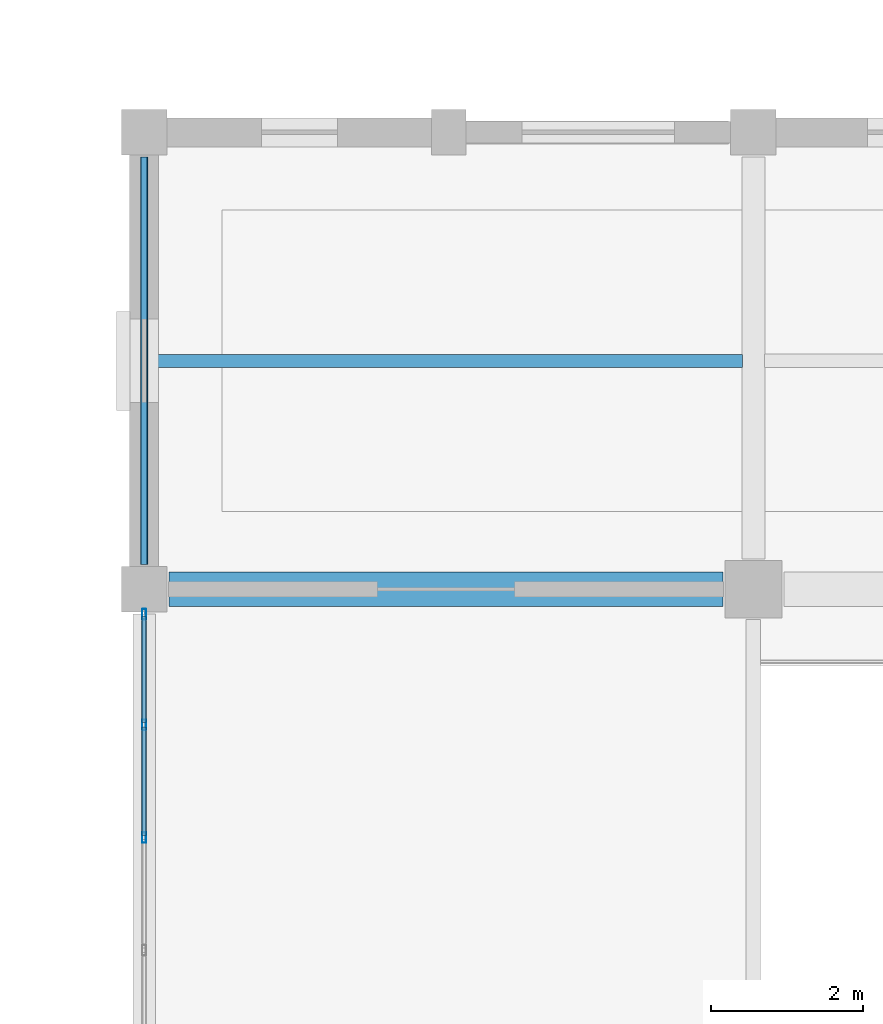
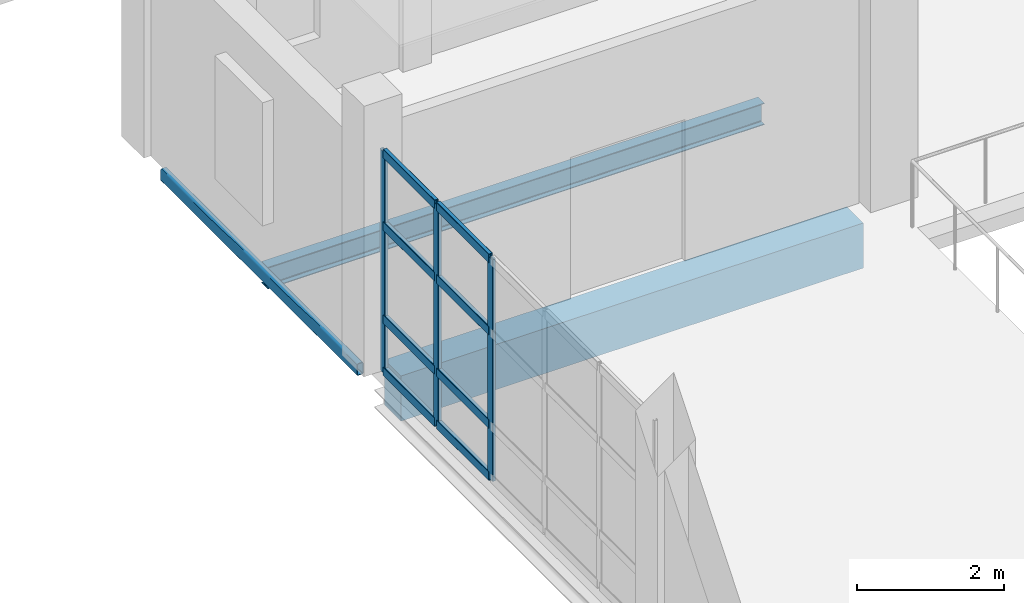
# One storey, part 110 of 183: 11 members, 3 beams, 1 element without a shape of its own.
"""IFC4 building model written with IfcOpenShell, lengths in metres."""

from ifc_helpers import new_model, si_unit, direction, frame, origin, origin_2d, place, context, subcontext, project, spatial, rectangle, hollow_rectangle, i_section, extrude, material, material_profile, profile_set, type_object, element, aggregate, save


model = new_model("IFC4")

# Units and contexts
model_context = context("Model", 3, precision=1e-05, world=origin(), true_north=direction((0.0, 1.0)))
body_context = subcontext(model_context, "Body", "Model", "MODEL_VIEW")
ifc_project = project(units=[si_unit("LENGTHUNIT", "METRE"), si_unit("AREAUNIT", "SQUARE_METRE"), si_unit("VOLUMEUNIT", "CUBIC_METRE"), si_unit("PLANEANGLEUNIT", "RADIAN"), si_unit("MASSUNIT", "GRAM", prefix="KILO")], contexts=[model_context])

# Site, building, storey
site_placement = place(None, origin())
site = spatial("IfcSite", under=ifc_project, at=site_placement, CompositionType="ELEMENT")
building_placement = place(site_placement, origin())
building = spatial("IfcBuilding", under=site, at=building_placement, Name="Luwemba Playhouse", CompositionType="ELEMENT")
storey_placement = place(building_placement, frame((0.0, 0.0, 4.800048828125)))
storey = spatial("IfcBuildingStorey", under=building, at=storey_placement, Name="L01", CompositionType="ELEMENT", Elevation=4.800048828125)

# Beams
ifc_material_1 = material(Name="Concrete C40/50", Category="concrete")
ifc_material_profile_1 = material_profile(ifc_material_1, rectangle(XDim=0.449951171875, YDim=0.75, at=origin_2d()))
ifc_profile_set_1 = profile_set([ifc_material_profile_1], Name="Concrete C40/50")
beam_type_1 = type_object("IfcBeamType", Name="BM-RB04", PredefinedType="BEAM", material=ifc_profile_set_1)
beam_1_placement = place(storey_placement, frame((132.324951171875, 84.0, -0.625), z_axis=(1.0, 0.0, 0.0), x_axis=(0.0, 1.0, 0.0)))
element("IfcBeam", 1, at=beam_1_placement, inside=storey, type_object=beam_type_1, Name="L01 grid girder 0443", PredefinedType="BEAM", context=body_context, shape_type="SweptSolid", body=[
    extrude(rectangle(XDim=0.449951171875, YDim=0.75, at=origin_2d()), origin(), (0.0, 0.0, 1.0), 7.275146484375),
])
ifc_material_2 = material(Name="Steel S355", Category="steel")
ifc_material_profile_2 = material_profile(ifc_material_2, i_section(OverallWidth=0.169921875, OverallDepth=0.360107421875, WebThickness=0.008056640625, FlangeThickness=0.0126953125, FilletRadius=0.01806640625, at=origin_2d()))
ifc_profile_set_2 = profile_set([ifc_material_profile_2], Name="Steel S355")
beam_type_2 = type_object("IfcBeamType", Name="BM-SJ07", PredefinedType="JOIST", material=ifc_profile_set_2)
beam_2_placement = place(storey_placement, frame((132.0458984375, 87.0, -0.429931640625), z_axis=(1.0, 0.0, 0.0), x_axis=(0.0, 1.0, 0.0)))
element("IfcBeam", 2, at=beam_2_placement, inside=storey, type_object=beam_type_2, Name="L01 composite floor joist 0266", PredefinedType="JOIST", context=body_context, shape_type="SweptSolid", body=[
    extrude(i_section(OverallWidth=0.169921875, OverallDepth=0.360107421875, WebThickness=0.008056640625, FlangeThickness=0.0126953125, FilletRadius=0.01806640625, at=origin_2d()), origin(), (0.0, 0.0, 1.0), 7.80810546875),
])
ifc_material_profile_3 = material_profile(ifc_material_2, hollow_rectangle(XDim=0.10009765625, YDim=0.199951171875, WallThickness=0.008056640625, InnerFilletRadius=0.011962890625, OuterFilletRadius=0.02001953125, at=origin_2d()))
ifc_profile_set_3 = profile_set([ifc_material_profile_3], Name="Steel S355")
beam_type_3 = type_object("IfcBeamType", Name="BM-SSP2", PredefinedType="SPANDREL", material=ifc_profile_set_3)
beam_3_placement = place(storey_placement, frame((132.0, 84.324951171875, -0.35009765625), z_axis=(0.0, 1.0, 0.0), x_axis=(-1.0, 0.0, 0.0)))
element("IfcBeam", 3, at=beam_3_placement, inside=storey, type_object=beam_type_3, Name="L01 transverse girder 0455", PredefinedType="SPANDREL", context=body_context, shape_type="SweptSolid", body=[
    extrude(hollow_rectangle(XDim=0.10009765625, YDim=0.199951171875, WallThickness=0.008056640625, InnerFilletRadius=0.011962890625, OuterFilletRadius=0.02001953125, at=origin_2d()), origin(), (0.0, 0.0, 1.0), 5.35009765625),
])

# Curtain wall, members
ifc_material_3 = material(Name="Solar-control double glazing", Category="glass")
curtain_wall_type = type_object("IfcCurtainWallType", Name="CW-CW82", PredefinedType="USERDEFINED", material=ifc_material_3)
curtain_wall_placement = place(storey_placement, origin())
curtain_wall = element("IfcCurtainWall", 4, at=curtain_wall_placement, inside=storey, type_object=curtain_wall_type, Name="L01 V4 unitised curtain wall 112", ObjectType="UNITISED GLAZING", PredefinedType="USERDEFINED")
ifc_material_4 = material(Name="Aluminium 6063-T6", Category="aluminium")
ifc_material_profile_4 = material_profile(ifc_material_4, hollow_rectangle(XDim=0.054931640625, YDim=0.139892578125, WallThickness=0.00390625, InnerFilletRadius=0.006103515625, OuterFilletRadius=0.010009765625, at=origin_2d()))
ifc_profile_set_4 = profile_set([ifc_material_profile_4], Name="Aluminium 6063-T6")
member_type_1 = type_object("IfcMemberType", Name="CWM-M3", PredefinedType="MULLION", material=ifc_profile_set_4)
member_1_placement = place(storey_placement, frame((132.0, 80.739990234375, 0.0), z_axis=(0.0, 0.0, 1.0), x_axis=(-1.0, 0.0, 0.0)))
member_1 = element("IfcMember", 5, at=member_1_placement, type_object=member_type_1, Name="CW82 mullion 4", PredefinedType="MULLION", context=body_context, shape_type="SweptSolid", body=[
    extrude(hollow_rectangle(XDim=0.054931640625, YDim=0.139892578125, WallThickness=0.00390625, InnerFilletRadius=0.006103515625, OuterFilletRadius=0.010009765625, at=origin_2d()), origin(), (0.0, 0.0, 1.0), 3.68505859375),
])
member_2_placement = place(storey_placement, frame((132.0, 82.219970703125, 0.0), z_axis=(0.0, 0.0, 1.0), x_axis=(-1.0, 0.0, 0.0)))
member_2 = element("IfcMember", 6, at=member_2_placement, type_object=member_type_1, Name="CW82 mullion 5", PredefinedType="MULLION", context=body_context, shape_type="SweptSolid", body=[
    extrude(hollow_rectangle(XDim=0.054931640625, YDim=0.139892578125, WallThickness=0.00390625, InnerFilletRadius=0.006103515625, OuterFilletRadius=0.010009765625, at=origin_2d()), origin(), (0.0, 0.0, 1.0), 3.68505859375),
])
member_3_placement = place(storey_placement, frame((132.0, 83.672607421875, 0.0), z_axis=(0.0, 0.0, 1.0), x_axis=(-1.0, 0.0, 0.0)))
member_3 = element("IfcMember", 7, at=member_3_placement, type_object=member_type_1, Name="CW82 mullion 6", PredefinedType="MULLION", context=body_context, shape_type="SweptSolid", body=[
    extrude(hollow_rectangle(XDim=0.054931640625, YDim=0.139892578125, WallThickness=0.00390625, InnerFilletRadius=0.006103515625, OuterFilletRadius=0.010009765625, at=origin_2d()), origin(), (0.0, 0.0, 1.0), 3.68505859375),
])
ifc_material_profile_5 = material_profile(ifc_material_4, hollow_rectangle(XDim=0.06494140625, YDim=0.14990234375, WallThickness=0.00390625, InnerFilletRadius=0.006103515625, OuterFilletRadius=0.010009765625, at=origin_2d()))
ifc_profile_set_5 = profile_set([ifc_material_profile_5], Name="Aluminium 6063-T6")
member_type_2 = type_object("IfcMemberType", Name="CWT-T3", PredefinedType="USERDEFINED", material=ifc_profile_set_5)
member_4_placement = place(storey_placement, frame((132.0, 80.767578125, 0.032470703125), z_axis=(0.0, 1.0, 0.0), x_axis=(-1.0, 0.0, 0.0)))
member_4 = element("IfcMember", 8, at=member_4_placement, type_object=member_type_2, Name="CW82 transom 4.1", ObjectType="TRANSOM", PredefinedType="USERDEFINED", context=body_context, shape_type="SweptSolid", body=[
    extrude(hollow_rectangle(XDim=0.06494140625, YDim=0.14990234375, WallThickness=0.00390625, InnerFilletRadius=0.006103515625, OuterFilletRadius=0.010009765625, at=origin_2d()), origin(), (0.0, 0.0, 1.0), 1.4248046875),
])
member_5_placement = place(storey_placement, frame((132.0, 80.767578125, 0.89990234375), z_axis=(0.0, 1.0, 0.0), x_axis=(-1.0, 0.0, 0.0)))
member_5 = element("IfcMember", 9, at=member_5_placement, type_object=member_type_2, Name="CW82 transom 4.2", ObjectType="TRANSOM", PredefinedType="USERDEFINED", context=body_context, shape_type="SweptSolid", body=[
    extrude(hollow_rectangle(XDim=0.06494140625, YDim=0.14990234375, WallThickness=0.00390625, InnerFilletRadius=0.006103515625, OuterFilletRadius=0.010009765625, at=origin_2d()), origin(), (0.0, 0.0, 1.0), 1.4248046875),
])
member_6_placement = place(storey_placement, frame((132.0, 80.767578125, 2.449951171875), z_axis=(0.0, 1.0, 0.0), x_axis=(-1.0, 0.0, 0.0)))
member_6 = element("IfcMember", 10, at=member_6_placement, type_object=member_type_2, Name="CW82 transom 4.3", ObjectType="TRANSOM", PredefinedType="USERDEFINED", context=body_context, shape_type="SweptSolid", body=[
    extrude(hollow_rectangle(XDim=0.06494140625, YDim=0.14990234375, WallThickness=0.00390625, InnerFilletRadius=0.006103515625, OuterFilletRadius=0.010009765625, at=origin_2d()), origin(), (0.0, 0.0, 1.0), 1.4248046875),
])
member_7_placement = place(storey_placement, frame((132.0, 80.767578125, 3.65234375), z_axis=(0.0, 1.0, 0.0), x_axis=(-1.0, 0.0, 0.0)))
member_7 = element("IfcMember", 11, at=member_7_placement, type_object=member_type_2, Name="CW82 transom 4.4", ObjectType="TRANSOM", PredefinedType="USERDEFINED", context=body_context, shape_type="SweptSolid", body=[
    extrude(hollow_rectangle(XDim=0.06494140625, YDim=0.14990234375, WallThickness=0.00390625, InnerFilletRadius=0.006103515625, OuterFilletRadius=0.010009765625, at=origin_2d()), origin(), (0.0, 0.0, 1.0), 1.4248046875),
])
member_8_placement = place(storey_placement, frame((132.0, 82.24755859375, 0.032470703125), z_axis=(0.0, 1.0, 0.0), x_axis=(-1.0, 0.0, 0.0)))
member_8 = element("IfcMember", 12, at=member_8_placement, type_object=member_type_2, Name="CW82 transom 5.1", ObjectType="TRANSOM", PredefinedType="USERDEFINED", context=body_context, shape_type="SweptSolid", body=[
    extrude(hollow_rectangle(XDim=0.06494140625, YDim=0.14990234375, WallThickness=0.00390625, InnerFilletRadius=0.006103515625, OuterFilletRadius=0.010009765625, at=origin_2d()), origin(), (0.0, 0.0, 1.0), 1.3974609375),
])
member_9_placement = place(storey_placement, frame((132.0, 82.24755859375, 0.89990234375), z_axis=(0.0, 1.0, 0.0), x_axis=(-1.0, 0.0, 0.0)))
member_9 = element("IfcMember", 13, at=member_9_placement, type_object=member_type_2, Name="CW82 transom 5.2", ObjectType="TRANSOM", PredefinedType="USERDEFINED", context=body_context, shape_type="SweptSolid", body=[
    extrude(hollow_rectangle(XDim=0.06494140625, YDim=0.14990234375, WallThickness=0.00390625, InnerFilletRadius=0.006103515625, OuterFilletRadius=0.010009765625, at=origin_2d()), origin(), (0.0, 0.0, 1.0), 1.3974609375),
])
member_10_placement = place(storey_placement, frame((132.0, 82.24755859375, 2.449951171875), z_axis=(0.0, 1.0, 0.0), x_axis=(-1.0, 0.0, 0.0)))
member_10 = element("IfcMember", 14, at=member_10_placement, type_object=member_type_2, Name="CW82 transom 5.3", ObjectType="TRANSOM", PredefinedType="USERDEFINED", context=body_context, shape_type="SweptSolid", body=[
    extrude(hollow_rectangle(XDim=0.06494140625, YDim=0.14990234375, WallThickness=0.00390625, InnerFilletRadius=0.006103515625, OuterFilletRadius=0.010009765625, at=origin_2d()), origin(), (0.0, 0.0, 1.0), 1.3974609375),
])
member_11_placement = place(storey_placement, frame((132.0, 82.24755859375, 3.65234375), z_axis=(0.0, 1.0, 0.0), x_axis=(-1.0, 0.0, 0.0)))
member_11 = element("IfcMember", 15, at=member_11_placement, type_object=member_type_2, Name="CW82 transom 5.4", ObjectType="TRANSOM", PredefinedType="USERDEFINED", context=body_context, shape_type="SweptSolid", body=[
    extrude(hollow_rectangle(XDim=0.06494140625, YDim=0.14990234375, WallThickness=0.00390625, InnerFilletRadius=0.006103515625, OuterFilletRadius=0.010009765625, at=origin_2d()), origin(), (0.0, 0.0, 1.0), 1.3974609375),
])
aggregate(curtain_wall, [member_1, member_2, member_3, member_4, member_5, member_6, member_7, member_8, member_9, member_10, member_11])

save(model, "model.ifc")
